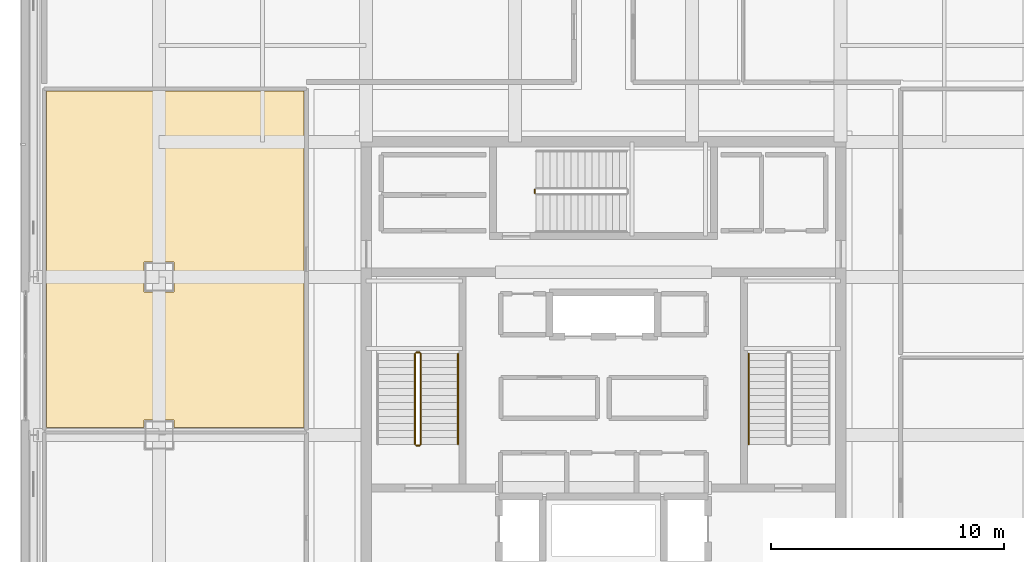
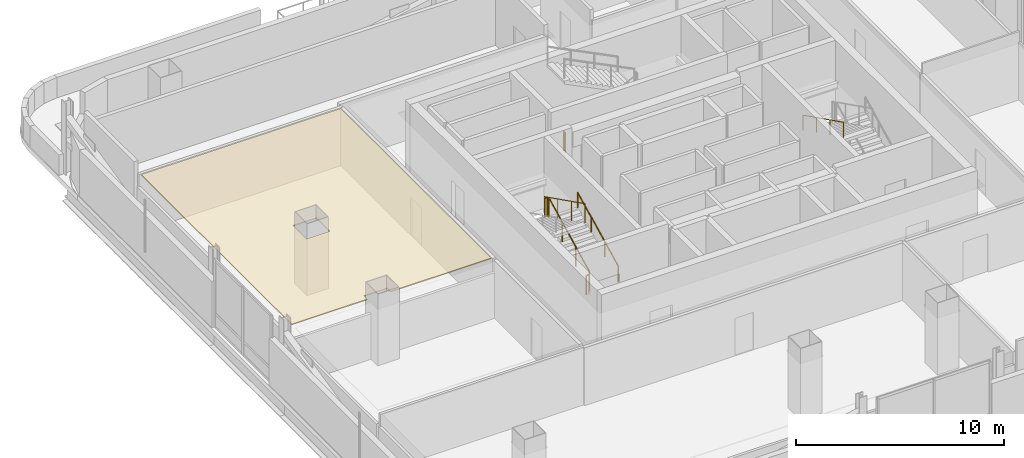
# One storey, part 21 of 28: 7 railings, 1 covering.
"""IFC4 building model written with IfcOpenShell, lengths in metres."""

from ifc_helpers import new_model, si_unit, direction, frame, origin, origin_2d, place, context, subcontext, project, spatial, polyline, circle, outline, extrude, material, layer, layer_set, type_object, element, save


model = new_model("IFC4")

# Units and contexts
model_context = context("Model", 3, precision=1e-05, world=origin(), true_north=direction((0.0, 1.0)))
body_context = subcontext(model_context, "Body", "Model", "MODEL_VIEW")
ifc_project = project(units=[si_unit("LENGTHUNIT", "METRE"), si_unit("AREAUNIT", "SQUARE_METRE"), si_unit("VOLUMEUNIT", "CUBIC_METRE"), si_unit("PLANEANGLEUNIT", "RADIAN"), si_unit("MASSUNIT", "GRAM", prefix="KILO")], contexts=[model_context])

# Site, building, storey
site_placement = place(None, origin())
site = spatial("IfcSite", under=ifc_project, at=site_placement, CompositionType="ELEMENT")
building_placement = place(site_placement, origin())
building = spatial("IfcBuilding", under=site, at=building_placement, Name="Punatoya Terracotta Tower", CompositionType="ELEMENT")
storey_placement = place(building_placement, frame((0.0, 0.0, 317.39990234375)))
storey = spatial("IfcBuildingStorey", under=building, at=storey_placement, Name="L75", CompositionType="ELEMENT", Elevation=317.39990234375)

# Covering
ifc_material_1 = material(Name="Acoustic Mineral Fibre Ceiling")
ifc_layer = layer(ifc_material_1, 0.06005859375)
ifc_layer_set = layer_set([ifc_layer], Name="Acoustic Mineral Fibre Ceiling")
covering_type = type_object("IfcCoveringType", Name="COV-CEIL-60", PredefinedType="CEILING", material=ifc_layer_set)
covering_placement = place(storey_placement, frame((0.0, 0.0, 3.31005859375)))
element("IfcCovering", 1, at=covering_placement, inside=storey, type_object=covering_type, Name="L75 Hospitality Tea Pantry Acoustic Ceiling", PredefinedType="CEILING", context=body_context, shape_type="SweptSolid", body=[
    extrude(outline(polyline([(-23.93994140625, 11.389892578125), (-23.93994140625, -3.073974609375), (-19.75, -3.073974609375), (-19.75, -2.75), (-18.449951171875, -2.75), (-18.449951171875, -3.073974609375), (-12.8701171875, -3.073974609375), (-12.8701171875, 11.389892578125), (-23.93994140625, 11.389892578125)]), holes=[polyline([(-18.449951171875, 4.050048828125), (-18.449951171875, 2.75), (-19.75, 2.75), (-19.75, 4.050048828125), (-18.449951171875, 4.050048828125)])]), origin(), (0.0, 0.0, 1.0), 0.06005859375),
])

# Railings
ifc_material_2 = material(Name="Steel S355", Category="steel")
railing_type_1 = type_object("IfcRailingType", Name="RLG-GRD-1150", PredefinedType="GUARDRAIL", material=ifc_material_2)
railing_1_placement = place(storey_placement, frame((-7.85009765625, -3.800048828125, 0.150146484375)))
element("IfcRailing", 2, at=railing_1_placement, inside=storey, type_object=railing_type_1, Name="L75 ST-1 stair guard 1", PredefinedType="GUARDRAIL", context=body_context, shape_type="SweptSolid", body=[
    extrude(circle(Radius=0.02392578125, at=origin_2d()), frame((0.0, 0.0, 1.1259765625), z_axis=(0.0, 0.894438388696, 0.447191199406), x_axis=(-1.0, 0.0, 0.0)), (0.0, 0.0, 1.0), 4.3603515625),
    extrude(circle(Radius=0.02099609375, at=origin_2d()), origin(), (0.0, 0.0, 1.0), 1.101806640625),
    extrude(circle(Radius=0.02099609375, at=origin_2d()), frame((0.0, 1.300048828125, 0.64990234375)), (0.0, 0.0, 1.0), 1.101806640625),
    extrude(circle(Radius=0.02099609375, at=origin_2d()), frame((0.0, 2.60009765625, 1.300048828125)), (0.0, 0.0, 1.0), 1.101806640625),
    extrude(circle(Radius=0.02099609375, at=origin_2d()), frame((0.0, 3.900146484375, 1.949951171875)), (0.0, 0.0, 1.0), 1.101806640625),
])
railing_2_placement = place(storey_placement, frame((-7.89990234375, 0.14990234375, 2.10009765625)))
element("IfcRailing", 3, at=railing_2_placement, inside=storey, type_object=railing_type_1, Name="L75 ST-1 stair guard 2", PredefinedType="GUARDRAIL", context=body_context, shape_type="SweptSolid", body=[
    extrude(circle(Radius=0.02392578125, at=origin_2d()), frame((0.0, 0.0, 1.1259765625), z_axis=(-1.0, 0.0, 0.0), x_axis=(0.0, -1.0, 0.0)), (0.0, 0.0, 1.0), 0.150146484375),
    extrude(circle(Radius=0.02099609375, at=origin_2d()), origin(), (0.0, 0.0, 1.0), 1.101806640625),
    extrude(circle(Radius=0.02099609375, at=origin_2d()), frame((-0.150146484375, 0.0, 0.0)), (0.0, 0.0, 1.0), 1.101806640625),
])
railing_3_placement = place(storey_placement, frame((-8.10009765625, 0.10009765625, 2.25)))
element("IfcRailing", 4, at=railing_3_placement, inside=storey, type_object=railing_type_1, Name="L75 ST-1 stair guard 3", PredefinedType="GUARDRAIL", context=body_context, shape_type="SweptSolid", body=[
    extrude(circle(Radius=0.02392578125, at=origin_2d()), frame((0.0, 0.0, 1.1259765625), z_axis=(0.0, -0.894415993023, 0.447235990752), x_axis=(1.0, 0.0, 0.0)), (0.0, 0.0, 1.0), 4.360595703125),
    extrude(circle(Radius=0.02099609375, at=origin_2d()), origin(), (0.0, 0.0, 1.0), 1.101806640625),
    extrude(circle(Radius=0.02099609375, at=origin_2d()), frame((0.0, -1.300048828125, 0.650146484375)), (0.0, 0.0, 1.0), 1.101806640625),
    extrude(circle(Radius=0.02099609375, at=origin_2d()), frame((0.0, -2.60009765625, 1.300048828125)), (0.0, 0.0, 1.0), 1.101806640625),
    extrude(circle(Radius=0.02099609375, at=origin_2d()), frame((0.0, -3.900146484375, 1.9501953125)), (0.0, 0.0, 1.0), 1.101806640625),
])
railing_4_placement = place(storey_placement, frame((-7.89990234375, -3.85009765625, 0.0)))
element("IfcRailing", 5, at=railing_4_placement, inside=storey, type_object=railing_type_1, Name="L75 ST-1 stair guard 4", PredefinedType="GUARDRAIL", context=body_context, shape_type="SweptSolid", body=[
    extrude(circle(Radius=0.02392578125, at=origin_2d()), frame((0.0, 0.0, 1.1259765625), z_axis=(-1.0, 0.0, 0.0), x_axis=(0.0, -1.0, 0.0)), (0.0, 0.0, 1.0), 0.150146484375),
    extrude(circle(Radius=0.02099609375, at=origin_2d()), origin(), (0.0, 0.0, 1.0), 1.101806640625),
    extrude(circle(Radius=0.02099609375, at=origin_2d()), frame((-0.150146484375, 0.0, 0.0)), (0.0, 0.0, 1.0), 1.101806640625),
])
railing_5_placement = place(storey_placement, frame((-2.949951171875, 7.0, 0.0)))
element("IfcRailing", 6, at=railing_5_placement, inside=storey, type_object=railing_type_1, Name="L75 ST-3 stair guard 4", PredefinedType="GUARDRAIL", context=body_context, shape_type="SweptSolid", body=[
    extrude(circle(Radius=0.02392578125, at=origin_2d()), frame((0.0, 0.0, 1.1259765625), z_axis=(0.0, 1.0, 0.0), x_axis=(-1.0, 0.0, 0.0)), (0.0, 0.0, 1.0), 0.14990234375),
    extrude(circle(Radius=0.02099609375, at=origin_2d()), origin(), (0.0, 0.0, 1.0), 1.101806640625),
    extrude(circle(Radius=0.02099609375, at=origin_2d()), frame((0.0, 0.14990234375, 0.0)), (0.0, 0.0, 1.0), 1.101806640625),
])
railing_type_2 = type_object("IfcRailingType", Name="RLG-HND-900", PredefinedType="HANDRAIL", material=ifc_material_2)
railing_6_placement = place(storey_placement, frame((-6.25, -3.800048828125, 0.150146484375)))
element("IfcRailing", 7, at=railing_6_placement, inside=storey, type_object=railing_type_2, Name="L75 ST-1 stair handrail 1", PredefinedType="HANDRAIL", context=body_context, shape_type="SweptSolid", body=[
    extrude(circle(Radius=0.02392578125, at=origin_2d()), frame((0.0, 0.0, 0.8759765625), z_axis=(0.0, 0.894438388696, 0.447191199406), x_axis=(-1.0, 0.0, 0.0)), (0.0, 0.0, 1.0), 4.3603515625),
    extrude(circle(Radius=0.02099609375, at=origin_2d()), origin(), (0.0, 0.0, 1.0), 0.851806640625),
    extrude(circle(Radius=0.02099609375, at=origin_2d()), frame((0.0, 1.300048828125, 0.64990234375)), (0.0, 0.0, 1.0), 0.851806640625),
    extrude(circle(Radius=0.02099609375, at=origin_2d()), frame((0.0, 2.60009765625, 1.300048828125)), (0.0, 0.0, 1.0), 0.851806640625),
    extrude(circle(Radius=0.02099609375, at=origin_2d()), frame((0.0, 3.900146484375, 1.949951171875)), (0.0, 0.0, 1.0), 0.851806640625),
])
railing_7_placement = place(storey_placement, frame((6.25, 0.10009765625, 2.25)))
element("IfcRailing", 8, at=railing_7_placement, inside=storey, type_object=railing_type_2, Name="L75 ST-2 stair handrail 2", PredefinedType="HANDRAIL", context=body_context, shape_type="SweptSolid", body=[
    extrude(circle(Radius=0.02392578125, at=origin_2d()), frame((0.0, 0.0, 0.8759765625), z_axis=(0.0, -0.894415993023, 0.447235990752), x_axis=(1.0, 0.0, 0.0)), (0.0, 0.0, 1.0), 4.360595703125),
    extrude(circle(Radius=0.02099609375, at=origin_2d()), origin(), (0.0, 0.0, 1.0), 0.851806640625),
    extrude(circle(Radius=0.02099609375, at=origin_2d()), frame((0.0, -1.300048828125, 0.650146484375)), (0.0, 0.0, 1.0), 0.851806640625),
    extrude(circle(Radius=0.02099609375, at=origin_2d()), frame((0.0, -2.60009765625, 1.300048828125)), (0.0, 0.0, 1.0), 0.851806640625),
    extrude(circle(Radius=0.02099609375, at=origin_2d()), frame((0.0, -3.900146484375, 1.9501953125)), (0.0, 0.0, 1.0), 0.851806640625),
])

save(model, "model.ifc")
